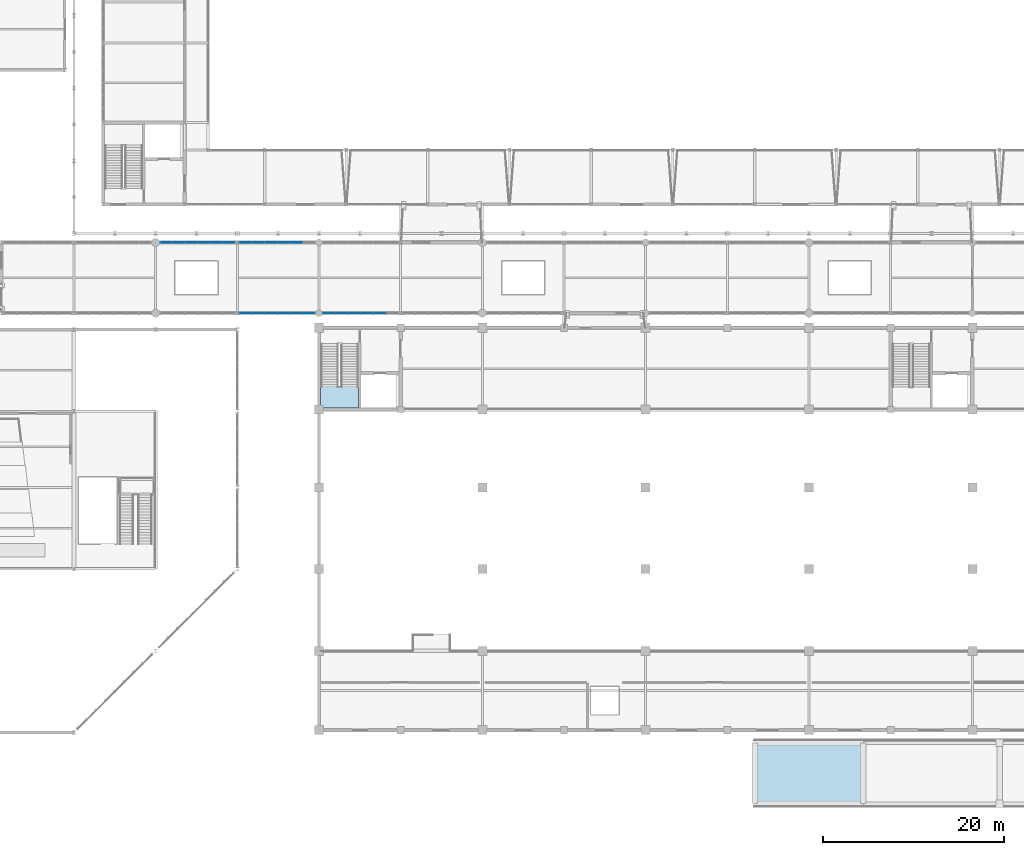
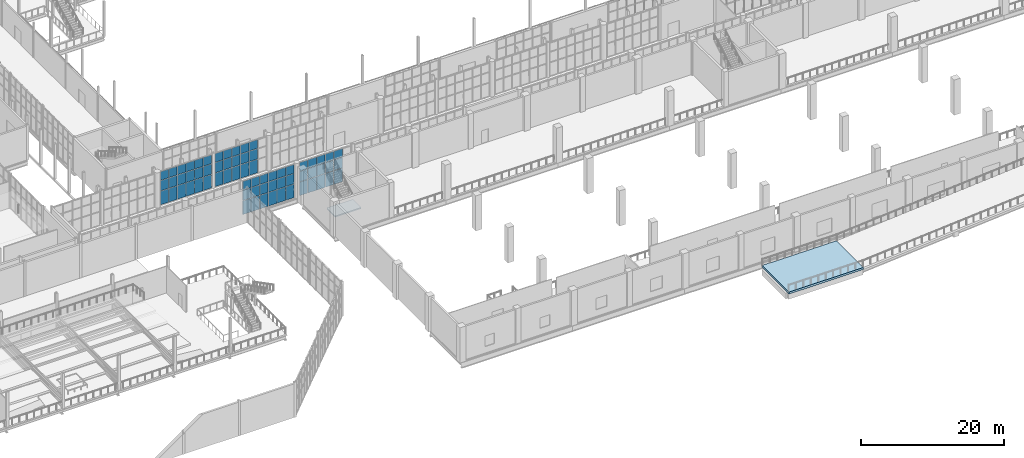
# One storey, part 97 of 159: 66 plates, 2 slabs, 5 elements without a shape of their own.
"""IFC4 building model written with IfcOpenShell, lengths in metres."""

import ifcopenshell
import ifcopenshell.guid

model = None  # the IFC model being written
_history = None  # IfcOwnerHistory: only IFC2X3 demands one
_inside = {}  # id of a spatial element -> (the spatial element, [elements in it])
_under = {}  # id of a project, library or spatial element -> (it, [spatial elements below it])
_declared = {}  # id of a project -> (the project, [libraries it declares])
_typed = {}  # id of a type object -> (the type object, [elements of that type])
_made_of = {}  # id of a material, layer set ... -> (it, [elements and type objects made of it])


def new_model(schema):
    """Start an empty IFC model of exactly this schema.

    Asked for "IFC4X3", IfcOpenShell would pick the latest addendum, in which some entities
    have other attributes; the version numbers below select the first issue.
    IFC2X3 requires an IfcOwnerHistory on every rooted entity: one is made here for all.
    """
    global model, _history
    if schema == "IFC4X3":
        model = ifcopenshell.file(schema_version=(4, 3, 0, 0))
    else:
        model = ifcopenshell.file(schema=schema)
    _inside.clear()
    _under.clear()
    _declared.clear()
    _typed.clear()
    _made_of.clear()
    _history = None
    if model.schema == "IFC2X3":
        org = make("IfcOrganization", Name="unknown")
        user = make(
            "IfcPersonAndOrganization",
            ThePerson=make("IfcPerson", FamilyName="unknown"),
            TheOrganization=org,
        )
        app = make(
            "IfcApplication",
            ApplicationDeveloper=org,
            Version="unknown",
            ApplicationFullName="unknown",
            ApplicationIdentifier="unknown",
        )
        _history = make(
            "IfcOwnerHistory",
            OwningUser=user,
            OwningApplication=app,
            ChangeAction="ADDED",
            CreationDate=0,
        )
    return model


def make(cls, **values):
    """One entity of the class cls with the attributes given. An attribute that is None is left unset."""
    return model.create_entity(
        cls, **{name: value for name, value in values.items() if value is not None}
    )


def rooted(cls, **values):
    """An entity with a GlobalId (a new one), such as an element, a storey or a relation."""
    return make(cls, GlobalId=ifcopenshell.guid.new(), OwnerHistory=_history, **values)


def si_unit(unit_type, name, prefix=None):
    """IfcSIUnit, for example si_unit("LENGTHUNIT", "METRE", prefix="MILLI")."""
    return make("IfcSIUnit", UnitType=unit_type, Prefix=prefix, Name=name)


def assignment(units):
    """IfcUnitAssignment: the units of a project."""
    return None if units is None else make("IfcUnitAssignment", Units=units)


def point(xyz):
    """IfcCartesianPoint."""
    return None if xyz is None else make("IfcCartesianPoint", Coordinates=xyz)


def direction(xyz):
    """IfcDirection."""
    return None if xyz is None else make("IfcDirection", DirectionRatios=xyz)


def frame(location, z_axis=None, x_axis=None):
    """IfcAxis2Placement3D, a coordinate frame: its origin and axes. An axis left out is left unset."""
    return make(
        "IfcAxis2Placement3D",
        Location=point(location),
        Axis=direction(z_axis),
        RefDirection=direction(x_axis),
    )


def frame_2d(location, x_axis=None):
    """IfcAxis2Placement2D, a coordinate frame in the plane: its origin and x axis."""
    return make(
        "IfcAxis2Placement2D", Location=point(location), RefDirection=direction(x_axis)
    )


def origin():
    """The frame at (0, 0, 0) with its axes left unset."""
    return frame((0.0, 0.0, 0.0))


def origin_2d():
    """The frame at (0, 0) in the plane with its x axis left unset."""
    return frame_2d((0.0, 0.0))


def place(relative_to, where):
    """IfcLocalPlacement: puts the frame where relative to a parent placement (None: the world)."""
    return make(
        "IfcLocalPlacement", PlacementRelTo=relative_to, RelativePlacement=where
    )


def context(
    kind, dimensions, precision=None, world=None, true_north=None, identifier=None
):
    """IfcGeometricRepresentationContext, for example the 3D "Model" context."""
    return make(
        "IfcGeometricRepresentationContext",
        ContextIdentifier=identifier,
        ContextType=kind,
        CoordinateSpaceDimension=dimensions,
        Precision=precision,
        WorldCoordinateSystem=world,
        TrueNorth=true_north,
    )


def subcontext(parent, identifier, kind, view, scale=None):
    """IfcGeometricRepresentationSubContext, for example "Body" below "Model"."""
    return make(
        "IfcGeometricRepresentationSubContext",
        ContextIdentifier=identifier,
        ContextType=kind,
        ParentContext=parent,
        TargetScale=scale,
        TargetView=view,
    )


def project(units=None, contexts=None):
    """IfcProject with its units and contexts."""
    return rooted(
        "IfcProject",
        Name="project",
        RepresentationContexts=contexts,
        UnitsInContext=assignment(units),
    )


def spatial(cls, under=None, at=None, **own):
    """A site, building, storey or space (cls), placed at a placement, below another one or the project."""
    s = rooted(cls, ObjectPlacement=at, **own)
    if under is not None:
        _under.setdefault(under.id(), (under, []))[1].append(s)
    return s


def polyline(points):
    """IfcPolyline through the points."""
    return make("IfcPolyline", Points=[point(p) for p in points])


def profile(cls, at=None, kind="AREA", **sizes):
    """A parametric profile (cls). Its sizes go by their IFC names, for example OverallWidth=200.0."""
    return make(cls, ProfileType=kind, Position=at, **sizes)


def rectangle(**sizes):
    """IfcRectangleProfileDef."""
    return profile("IfcRectangleProfileDef", **sizes)


def outline(outer, holes=None, kind="AREA"):
    """IfcArbitraryClosedProfileDef: a profile drawn as a closed curve; with holes, ...WithVoids."""
    if holes is None:
        return make("IfcArbitraryClosedProfileDef", ProfileType=kind, OuterCurve=outer)
    return make(
        "IfcArbitraryProfileDefWithVoids",
        ProfileType=kind,
        OuterCurve=outer,
        InnerCurves=holes,
    )


def extrude(swept, where, along, depth):
    """IfcExtrudedAreaSolid: the profile swept, set in the frame where, extruded along a direction by depth."""
    return make(
        "IfcExtrudedAreaSolid",
        SweptArea=swept,
        Position=where,
        ExtrudedDirection=direction(along),
        Depth=depth,
    )


def shape(context_of_items, identifier, shape_type, items):
    """IfcShapeRepresentation: the items that make up one representation, for example the "Body"."""
    return make(
        "IfcShapeRepresentation",
        ContextOfItems=context_of_items,
        RepresentationIdentifier=identifier,
        RepresentationType=shape_type,
        Items=items,
    )


def material(Name=None, Category=None):
    """IfcMaterial."""
    return make("IfcMaterial", Name=Name, Category=Category)


def layer(
    of_material, thickness, ventilated=None, Name=None, Category=None, Priority=None
):
    """IfcMaterialLayer: one layer of a wall or slab, of a material (None: an air gap)."""
    return make(
        "IfcMaterialLayer",
        Material=of_material,
        LayerThickness=thickness,
        IsVentilated=ventilated,
        Name=Name,
        Category=Category,
        Priority=Priority,
    )


def layer_set(layers, Name=None):
    """IfcMaterialLayerSet."""
    return make("IfcMaterialLayerSet", MaterialLayers=layers, LayerSetName=Name)


def made_of(thing, what):
    """Note that an element or type object is made of a material, layer set ...; save() writes the relation."""
    if what is not None:
        _made_of.setdefault(what.id(), (what, []))[1].append(thing)
    return thing


def type_object(cls, material=None, **own):
    """A type object (cls), such as IfcWallType, which elements share."""
    return made_of(rooted(cls, **own), material)


def element(
    cls,
    number,
    at=None,
    inside=None,
    cuts=None,
    type_object=None,
    material=None,
    context=None,
    identifier="Body",
    shape_type=None,
    held_by="IfcProductDefinitionShape",
    body=None,
    shapes=None,
    **own,
):
    """One element of the class cls, such as IfcWall. Its Tag is "e" and its number.

    at: its placement. inside: the storey or other place that contains it. cuts: it is an
    opening in that element (IfcRelVoidsElement). A single representation is given by context,
    identifier, shape_type and body (its items); several are given by shapes. held_by: the class
    of the entity that holds the representations. save() writes the other relations.
    """
    e = rooted(cls, Tag="e%d" % number, ObjectPlacement=at, **own)
    if body is not None:
        shapes = [shape(context, identifier, shape_type, body)]
    if shapes is not None:
        e.Representation = make(held_by, Representations=shapes)
    if inside is not None:
        _inside.setdefault(inside.id(), (inside, []))[1].append(e)
    if cuts is not None:
        rooted(
            "IfcRelVoidsElement", RelatingBuildingElement=cuts, RelatedOpeningElement=e
        )
    if type_object is not None:
        _typed.setdefault(type_object.id(), (type_object, []))[1].append(e)
    return made_of(e, material)


def aggregate(whole, parts):
    """IfcRelAggregates: a whole, such as a stair, and the parts it consists of."""
    return rooted("IfcRelAggregates", RelatingObject=whole, RelatedObjects=parts)


def save(model, path):
    """Write the relations noted so far, then the file.

    IfcRelAggregates (storeys below a building ...), IfcRelContainedInSpatialStructure (elements
    in a storey), IfcRelDefinesByType, IfcRelAssociatesMaterial and IfcRelDeclares: one each for
    every whole, place, type object, material and project.
    """
    for whole, parts in _under.values():
        aggregate(whole, parts)
    for where, things in _inside.values():
        rooted(
            "IfcRelContainedInSpatialStructure",
            RelatedElements=things,
            RelatingStructure=where,
        )
    for kind, things in _typed.values():
        rooted("IfcRelDefinesByType", RelatedObjects=things, RelatingType=kind)
    for what, things in _made_of.values():
        rooted("IfcRelAssociatesMaterial", RelatedObjects=things, RelatingMaterial=what)
    for by, libraries in _declared.values():
        rooted("IfcRelDeclares", RelatingContext=by, RelatedDefinitions=libraries)
    model.write(path)


model = new_model("IFC4")

# Units and contexts
model_context = context("Model", 3, precision=1e-05, world=origin(), true_north=direction((0.0, 1.0)))
body_context = subcontext(model_context, "Body", "Model", "MODEL_VIEW")
ifc_project = project(units=[si_unit("LENGTHUNIT", "METRE"), si_unit("AREAUNIT", "SQUARE_METRE"), si_unit("VOLUMEUNIT", "CUBIC_METRE"), si_unit("PLANEANGLEUNIT", "RADIAN"), si_unit("MASSUNIT", "GRAM", prefix="KILO")], contexts=[model_context])

# Site, building, storey
site_placement = place(None, origin())
site = spatial("IfcSite", under=ifc_project, at=site_placement, CompositionType="ELEMENT")
building_placement = place(site_placement, origin())
building = spatial("IfcBuilding", under=site, at=building_placement, Name="Cazmaro Siding Exhibition Halls", CompositionType="ELEMENT")
storey_placement = place(building_placement, frame((0.0, 0.0, 6.0)))
storey = spatial("IfcBuildingStorey", under=building, at=storey_placement, Name="L01", CompositionType="ELEMENT", Elevation=6.0)

# Curtain wall, plates
ifc_material_1 = material(Name="Anodized Bronze Aluminum and Solar-Control Low-E Glazing", Category="aluminium")
ifc_layer_1 = layer(ifc_material_1, 0.179931640625)
ifc_layer_set_1 = layer_set([ifc_layer_1], Name="Anodized Bronze Aluminum and Solar-Control Low-E Glazing")
curtain_wall_type = type_object("IfcCurtainWallType", Name="CWS-01", PredefinedType="USERDEFINED", material=ifc_layer_set_1)
curtain_wall_1_placement = place(storey_placement, origin())
curtain_wall_1 = element("IfcCurtainWall", 1, at=curtain_wall_1_placement, inside=storey, type_object=curtain_wall_type, Name="Glazed Curtain Wall CWS-01 CW-153", ObjectType="GLAZED CURTAIN WALL", PredefinedType="USERDEFINED")
ifc_material_2 = material(Name="Solar-Control Low-E Double Insulating Glass", Category="glass")
ifc_layer_2 = layer(ifc_material_2, 0.02392578125)
ifc_layer_set_2 = layer_set([ifc_layer_2], Name="Solar-Control Low-E Double Insulating Glass")
plate_type = type_object("IfcPlateType", Name="CWP-01", PredefinedType="CURTAIN_PANEL", material=ifc_layer_set_2)
plate_1_placement = place(storey_placement, frame((62.064453125, 63.0, 0.06005859375), z_axis=(0.0, 0.0, 1.0), x_axis=(-1.0, 0.0, 0.0)))
plate_1 = element("IfcPlate", 2, at=plate_1_placement, type_object=plate_type, Name="CWS-01 panel 1.1", PredefinedType="CURTAIN_PANEL", context=body_context, shape_type="SweptSolid", body=[
    extrude(rectangle(XDim=1.291259765625, YDim=0.02392578125, at=origin_2d()), origin(), (0.0, 0.0, 1.0), 2.31005859375),
])
plate_2_placement = place(storey_placement, frame((62.064453125, 63.0, 2.43017578125), z_axis=(0.0, 0.0, 1.0), x_axis=(-1.0, 0.0, 0.0)))
plate_2 = element("IfcPlate", 3, at=plate_2_placement, type_object=plate_type, Name="CWS-01 panel 1.2", PredefinedType="CURTAIN_PANEL", context=body_context, shape_type="SweptSolid", body=[
    extrude(rectangle(XDim=1.291259765625, YDim=0.02392578125, at=origin_2d()), origin(), (0.0, 0.0, 1.0), 1.739990234375),
])
plate_3_placement = place(storey_placement, frame((62.064453125, 63.0, 4.22998046875), z_axis=(0.0, 0.0, 1.0), x_axis=(-1.0, 0.0, 0.0)))
plate_3 = element("IfcPlate", 4, at=plate_3_placement, type_object=plate_type, Name="CWS-01 panel 1.3", PredefinedType="CURTAIN_PANEL", context=body_context, shape_type="SweptSolid", body=[
    extrude(rectangle(XDim=1.291259765625, YDim=0.02392578125, at=origin_2d()), origin(), (0.0, 0.0, 1.0), 1.489990234375),
])
plate_4_placement = place(storey_placement, frame((60.6982421875, 63.0, 0.06005859375), z_axis=(0.0, 0.0, 1.0), x_axis=(-1.0, 0.0, 0.0)))
plate_4 = element("IfcPlate", 5, at=plate_4_placement, type_object=plate_type, Name="CWS-01 panel 2.1", PredefinedType="CURTAIN_PANEL", context=body_context, shape_type="SweptSolid", body=[
    extrude(rectangle(XDim=1.321044921875, YDim=0.02392578125, at=origin_2d()), origin(), (0.0, 0.0, 1.0), 2.31005859375),
])
plate_5_placement = place(storey_placement, frame((60.6982421875, 63.0, 2.43017578125), z_axis=(0.0, 0.0, 1.0), x_axis=(-1.0, 0.0, 0.0)))
plate_5 = element("IfcPlate", 6, at=plate_5_placement, type_object=plate_type, Name="CWS-01 panel 2.2", PredefinedType="CURTAIN_PANEL", context=body_context, shape_type="SweptSolid", body=[
    extrude(rectangle(XDim=1.321044921875, YDim=0.02392578125, at=origin_2d()), origin(), (0.0, 0.0, 1.0), 1.739990234375),
])
plate_6_placement = place(storey_placement, frame((60.6982421875, 63.0, 4.22998046875), z_axis=(0.0, 0.0, 1.0), x_axis=(-1.0, 0.0, 0.0)))
plate_6 = element("IfcPlate", 7, at=plate_6_placement, type_object=plate_type, Name="CWS-01 panel 2.3", PredefinedType="CURTAIN_PANEL", context=body_context, shape_type="SweptSolid", body=[
    extrude(rectangle(XDim=1.321044921875, YDim=0.02392578125, at=origin_2d()), origin(), (0.0, 0.0, 1.0), 1.489990234375),
])
plate_7_placement = place(storey_placement, frame((59.317138671875, 63.0, 0.06005859375), z_axis=(0.0, 0.0, 1.0), x_axis=(-1.0, 0.0, 0.0)))
plate_7 = element("IfcPlate", 8, at=plate_7_placement, type_object=plate_type, Name="CWS-01 panel 3.1", PredefinedType="CURTAIN_PANEL", context=body_context, shape_type="SweptSolid", body=[
    extrude(rectangle(XDim=1.321044921875, YDim=0.02392578125, at=origin_2d()), origin(), (0.0, 0.0, 1.0), 2.31005859375),
])
plate_8_placement = place(storey_placement, frame((59.317138671875, 63.0, 2.43017578125), z_axis=(0.0, 0.0, 1.0), x_axis=(-1.0, 0.0, 0.0)))
plate_8 = element("IfcPlate", 9, at=plate_8_placement, type_object=plate_type, Name="CWS-01 panel 3.2", PredefinedType="CURTAIN_PANEL", context=body_context, shape_type="SweptSolid", body=[
    extrude(rectangle(XDim=1.321044921875, YDim=0.02392578125, at=origin_2d()), origin(), (0.0, 0.0, 1.0), 1.739990234375),
])
plate_9_placement = place(storey_placement, frame((59.317138671875, 63.0, 4.22998046875), z_axis=(0.0, 0.0, 1.0), x_axis=(-1.0, 0.0, 0.0)))
plate_9 = element("IfcPlate", 10, at=plate_9_placement, type_object=plate_type, Name="CWS-01 panel 3.3", PredefinedType="CURTAIN_PANEL", context=body_context, shape_type="SweptSolid", body=[
    extrude(rectangle(XDim=1.321044921875, YDim=0.02392578125, at=origin_2d()), origin(), (0.0, 0.0, 1.0), 1.489990234375),
])
plate_10_placement = place(storey_placement, frame((57.93603515625, 63.0, 0.06005859375), z_axis=(0.0, 0.0, 1.0), x_axis=(-1.0, 0.0, 0.0)))
plate_10 = element("IfcPlate", 11, at=plate_10_placement, type_object=plate_type, Name="CWS-01 panel 4.1", PredefinedType="CURTAIN_PANEL", context=body_context, shape_type="SweptSolid", body=[
    extrude(rectangle(XDim=1.321044921875, YDim=0.02392578125, at=origin_2d()), origin(), (0.0, 0.0, 1.0), 2.31005859375),
])
plate_11_placement = place(storey_placement, frame((57.93603515625, 63.0, 2.43017578125), z_axis=(0.0, 0.0, 1.0), x_axis=(-1.0, 0.0, 0.0)))
plate_11 = element("IfcPlate", 12, at=plate_11_placement, type_object=plate_type, Name="CWS-01 panel 4.2", PredefinedType="CURTAIN_PANEL", context=body_context, shape_type="SweptSolid", body=[
    extrude(rectangle(XDim=1.321044921875, YDim=0.02392578125, at=origin_2d()), origin(), (0.0, 0.0, 1.0), 1.739990234375),
])
plate_12_placement = place(storey_placement, frame((57.93603515625, 63.0, 4.22998046875), z_axis=(0.0, 0.0, 1.0), x_axis=(-1.0, 0.0, 0.0)))
plate_12 = element("IfcPlate", 13, at=plate_12_placement, type_object=plate_type, Name="CWS-01 panel 4.3", PredefinedType="CURTAIN_PANEL", context=body_context, shape_type="SweptSolid", body=[
    extrude(rectangle(XDim=1.321044921875, YDim=0.02392578125, at=origin_2d()), origin(), (0.0, 0.0, 1.0), 1.489990234375),
])
plate_13_placement = place(storey_placement, frame((56.5546875, 63.0, 0.06005859375), z_axis=(0.0, 0.0, 1.0), x_axis=(-1.0, 0.0, 0.0)))
plate_13 = element("IfcPlate", 14, at=plate_13_placement, type_object=plate_type, Name="CWS-01 panel 5.1", PredefinedType="CURTAIN_PANEL", context=body_context, shape_type="SweptSolid", body=[
    extrude(rectangle(XDim=1.321044921875, YDim=0.02392578125, at=origin_2d()), origin(), (0.0, 0.0, 1.0), 2.31005859375),
])
plate_14_placement = place(storey_placement, frame((56.5546875, 63.0, 2.43017578125), z_axis=(0.0, 0.0, 1.0), x_axis=(-1.0, 0.0, 0.0)))
plate_14 = element("IfcPlate", 15, at=plate_14_placement, type_object=plate_type, Name="CWS-01 panel 5.2", PredefinedType="CURTAIN_PANEL", context=body_context, shape_type="SweptSolid", body=[
    extrude(rectangle(XDim=1.321044921875, YDim=0.02392578125, at=origin_2d()), origin(), (0.0, 0.0, 1.0), 1.739990234375),
])
plate_15_placement = place(storey_placement, frame((56.5546875, 63.0, 4.22998046875), z_axis=(0.0, 0.0, 1.0), x_axis=(-1.0, 0.0, 0.0)))
plate_15 = element("IfcPlate", 16, at=plate_15_placement, type_object=plate_type, Name="CWS-01 panel 5.3", PredefinedType="CURTAIN_PANEL", context=body_context, shape_type="SweptSolid", body=[
    extrude(rectangle(XDim=1.321044921875, YDim=0.02392578125, at=origin_2d()), origin(), (0.0, 0.0, 1.0), 1.489990234375),
])
plate_16_placement = place(storey_placement, frame((55.1884765625, 63.0, 0.06005859375), z_axis=(0.0, 0.0, 1.0), x_axis=(-1.0, 0.0, 0.0)))
plate_16 = element("IfcPlate", 17, at=plate_16_placement, type_object=plate_type, Name="CWS-01 panel 6.1", PredefinedType="CURTAIN_PANEL", context=body_context, shape_type="SweptSolid", body=[
    extrude(rectangle(XDim=1.291259765625, YDim=0.02392578125, at=origin_2d()), origin(), (0.0, 0.0, 1.0), 2.31005859375),
])
plate_17_placement = place(storey_placement, frame((55.1884765625, 63.0, 2.43017578125), z_axis=(0.0, 0.0, 1.0), x_axis=(-1.0, 0.0, 0.0)))
plate_17 = element("IfcPlate", 18, at=plate_17_placement, type_object=plate_type, Name="CWS-01 panel 6.2", PredefinedType="CURTAIN_PANEL", context=body_context, shape_type="SweptSolid", body=[
    extrude(rectangle(XDim=1.291259765625, YDim=0.02392578125, at=origin_2d()), origin(), (0.0, 0.0, 1.0), 1.739990234375),
])
plate_18_placement = place(storey_placement, frame((55.1884765625, 63.0, 4.22998046875), z_axis=(0.0, 0.0, 1.0), x_axis=(-1.0, 0.0, 0.0)))
plate_18 = element("IfcPlate", 19, at=plate_18_placement, type_object=plate_type, Name="CWS-01 panel 6.3", PredefinedType="CURTAIN_PANEL", context=body_context, shape_type="SweptSolid", body=[
    extrude(rectangle(XDim=1.291259765625, YDim=0.02392578125, at=origin_2d()), origin(), (0.0, 0.0, 1.0), 1.489990234375),
])
aggregate(curtain_wall_1, [plate_1, plate_2, plate_3, plate_4, plate_5, plate_6, plate_7, plate_8, plate_9, plate_10, plate_11, plate_12, plate_13, plate_14, plate_15, plate_16, plate_17, plate_18])

curtain_wall_2_placement = place(storey_placement, origin())
curtain_wall_2 = element("IfcCurtainWall", 20, at=curtain_wall_2_placement, inside=storey, type_object=curtain_wall_type, Name="Glazed Curtain Wall CWS-01 CW-157", ObjectType="GLAZED CURTAIN WALL", PredefinedType="USERDEFINED")
plate_19_placement = place(storey_placement, frame((63.94189453125, 55.199951171875, 0.06005859375), z_axis=(0.0, 0.0, 1.0), x_axis=(1.0, 0.0, 0.0)))
plate_19 = element("IfcPlate", 21, at=plate_19_placement, type_object=plate_type, Name="CWS-01 panel 1.1", PredefinedType="CURTAIN_PANEL", context=body_context, shape_type="SweptSolid", body=[
    extrude(rectangle(XDim=1.3037109375, YDim=0.02392578125, at=origin_2d()), origin(), (0.0, 0.0, 1.0), 2.31005859375),
])
plate_20_placement = place(storey_placement, frame((63.94189453125, 55.199951171875, 2.43017578125), z_axis=(0.0, 0.0, 1.0), x_axis=(1.0, 0.0, 0.0)))
plate_20 = element("IfcPlate", 22, at=plate_20_placement, type_object=plate_type, Name="CWS-01 panel 1.2", PredefinedType="CURTAIN_PANEL", context=body_context, shape_type="SweptSolid", body=[
    extrude(rectangle(XDim=1.3037109375, YDim=0.02392578125, at=origin_2d()), origin(), (0.0, 0.0, 1.0), 1.739990234375),
])
plate_21_placement = place(storey_placement, frame((63.94189453125, 55.199951171875, 4.22998046875), z_axis=(0.0, 0.0, 1.0), x_axis=(1.0, 0.0, 0.0)))
plate_21 = element("IfcPlate", 23, at=plate_21_placement, type_object=plate_type, Name="CWS-01 panel 1.3", PredefinedType="CURTAIN_PANEL", context=body_context, shape_type="SweptSolid", body=[
    extrude(rectangle(XDim=1.3037109375, YDim=0.02392578125, at=origin_2d()), origin(), (0.0, 0.0, 1.0), 1.489990234375),
])
plate_22_placement = place(storey_placement, frame((65.320556640625, 55.199951171875, 0.06005859375), z_axis=(0.0, 0.0, 1.0), x_axis=(1.0, 0.0, 0.0)))
plate_22 = element("IfcPlate", 24, at=plate_22_placement, type_object=plate_type, Name="CWS-01 panel 2.1", PredefinedType="CURTAIN_PANEL", context=body_context, shape_type="SweptSolid", body=[
    extrude(rectangle(XDim=1.333740234375, YDim=0.02392578125, at=origin_2d()), origin(), (0.0, 0.0, 1.0), 2.31005859375),
])
plate_23_placement = place(storey_placement, frame((65.320556640625, 55.199951171875, 2.43017578125), z_axis=(0.0, 0.0, 1.0), x_axis=(1.0, 0.0, 0.0)))
plate_23 = element("IfcPlate", 25, at=plate_23_placement, type_object=plate_type, Name="CWS-01 panel 2.2", PredefinedType="CURTAIN_PANEL", context=body_context, shape_type="SweptSolid", body=[
    extrude(rectangle(XDim=1.333740234375, YDim=0.02392578125, at=origin_2d()), origin(), (0.0, 0.0, 1.0), 1.739990234375),
])
plate_24_placement = place(storey_placement, frame((65.320556640625, 55.199951171875, 4.22998046875), z_axis=(0.0, 0.0, 1.0), x_axis=(1.0, 0.0, 0.0)))
plate_24 = element("IfcPlate", 26, at=plate_24_placement, type_object=plate_type, Name="CWS-01 panel 2.3", PredefinedType="CURTAIN_PANEL", context=body_context, shape_type="SweptSolid", body=[
    extrude(rectangle(XDim=1.333740234375, YDim=0.02392578125, at=origin_2d()), origin(), (0.0, 0.0, 1.0), 1.489990234375),
])
plate_25_placement = place(storey_placement, frame((66.714111328125, 55.199951171875, 0.06005859375), z_axis=(0.0, 0.0, 1.0), x_axis=(1.0, 0.0, 0.0)))
plate_25 = element("IfcPlate", 27, at=plate_25_placement, type_object=plate_type, Name="CWS-01 panel 3.1", PredefinedType="CURTAIN_PANEL", context=body_context, shape_type="SweptSolid", body=[
    extrude(rectangle(XDim=1.333740234375, YDim=0.02392578125, at=origin_2d()), origin(), (0.0, 0.0, 1.0), 2.31005859375),
])
plate_26_placement = place(storey_placement, frame((66.714111328125, 55.199951171875, 2.43017578125), z_axis=(0.0, 0.0, 1.0), x_axis=(1.0, 0.0, 0.0)))
plate_26 = element("IfcPlate", 28, at=plate_26_placement, type_object=plate_type, Name="CWS-01 panel 3.2", PredefinedType="CURTAIN_PANEL", context=body_context, shape_type="SweptSolid", body=[
    extrude(rectangle(XDim=1.333740234375, YDim=0.02392578125, at=origin_2d()), origin(), (0.0, 0.0, 1.0), 1.739990234375),
])
plate_27_placement = place(storey_placement, frame((66.714111328125, 55.199951171875, 4.22998046875), z_axis=(0.0, 0.0, 1.0), x_axis=(1.0, 0.0, 0.0)))
plate_27 = element("IfcPlate", 29, at=plate_27_placement, type_object=plate_type, Name="CWS-01 panel 3.3", PredefinedType="CURTAIN_PANEL", context=body_context, shape_type="SweptSolid", body=[
    extrude(rectangle(XDim=1.333740234375, YDim=0.02392578125, at=origin_2d()), origin(), (0.0, 0.0, 1.0), 1.489990234375),
])
plate_28_placement = place(storey_placement, frame((68.10791015625, 55.199951171875, 0.06005859375), z_axis=(0.0, 0.0, 1.0), x_axis=(1.0, 0.0, 0.0)))
plate_28 = element("IfcPlate", 30, at=plate_28_placement, type_object=plate_type, Name="CWS-01 panel 4.1", PredefinedType="CURTAIN_PANEL", context=body_context, shape_type="SweptSolid", body=[
    extrude(rectangle(XDim=1.333740234375, YDim=0.02392578125, at=origin_2d()), origin(), (0.0, 0.0, 1.0), 2.31005859375),
])
plate_29_placement = place(storey_placement, frame((68.10791015625, 55.199951171875, 2.43017578125), z_axis=(0.0, 0.0, 1.0), x_axis=(1.0, 0.0, 0.0)))
plate_29 = element("IfcPlate", 31, at=plate_29_placement, type_object=plate_type, Name="CWS-01 panel 4.2", PredefinedType="CURTAIN_PANEL", context=body_context, shape_type="SweptSolid", body=[
    extrude(rectangle(XDim=1.333740234375, YDim=0.02392578125, at=origin_2d()), origin(), (0.0, 0.0, 1.0), 1.739990234375),
])
plate_30_placement = place(storey_placement, frame((68.10791015625, 55.199951171875, 4.22998046875), z_axis=(0.0, 0.0, 1.0), x_axis=(1.0, 0.0, 0.0)))
plate_30 = element("IfcPlate", 32, at=plate_30_placement, type_object=plate_type, Name="CWS-01 panel 4.3", PredefinedType="CURTAIN_PANEL", context=body_context, shape_type="SweptSolid", body=[
    extrude(rectangle(XDim=1.333740234375, YDim=0.02392578125, at=origin_2d()), origin(), (0.0, 0.0, 1.0), 1.489990234375),
])
plate_31_placement = place(storey_placement, frame((69.50146484375, 55.199951171875, 0.06005859375), z_axis=(0.0, 0.0, 1.0), x_axis=(1.0, 0.0, 0.0)))
plate_31 = element("IfcPlate", 33, at=plate_31_placement, type_object=plate_type, Name="CWS-01 panel 5.1", PredefinedType="CURTAIN_PANEL", context=body_context, shape_type="SweptSolid", body=[
    extrude(rectangle(XDim=1.333740234375, YDim=0.02392578125, at=origin_2d()), origin(), (0.0, 0.0, 1.0), 2.31005859375),
])
plate_32_placement = place(storey_placement, frame((69.50146484375, 55.199951171875, 2.43017578125), z_axis=(0.0, 0.0, 1.0), x_axis=(1.0, 0.0, 0.0)))
plate_32 = element("IfcPlate", 34, at=plate_32_placement, type_object=plate_type, Name="CWS-01 panel 5.2", PredefinedType="CURTAIN_PANEL", context=body_context, shape_type="SweptSolid", body=[
    extrude(rectangle(XDim=1.333740234375, YDim=0.02392578125, at=origin_2d()), origin(), (0.0, 0.0, 1.0), 1.739990234375),
])
plate_33_placement = place(storey_placement, frame((69.50146484375, 55.199951171875, 4.22998046875), z_axis=(0.0, 0.0, 1.0), x_axis=(1.0, 0.0, 0.0)))
plate_33 = element("IfcPlate", 35, at=plate_33_placement, type_object=plate_type, Name="CWS-01 panel 5.3", PredefinedType="CURTAIN_PANEL", context=body_context, shape_type="SweptSolid", body=[
    extrude(rectangle(XDim=1.333740234375, YDim=0.02392578125, at=origin_2d()), origin(), (0.0, 0.0, 1.0), 1.489990234375),
])
plate_34_placement = place(storey_placement, frame((70.880126953125, 55.199951171875, 0.06005859375), z_axis=(0.0, 0.0, 1.0), x_axis=(1.0, 0.0, 0.0)))
plate_34 = element("IfcPlate", 36, at=plate_34_placement, type_object=plate_type, Name="CWS-01 panel 6.1", PredefinedType="CURTAIN_PANEL", context=body_context, shape_type="SweptSolid", body=[
    extrude(rectangle(XDim=1.3037109375, YDim=0.02392578125, at=origin_2d()), origin(), (0.0, 0.0, 1.0), 2.31005859375),
])
plate_35_placement = place(storey_placement, frame((70.880126953125, 55.199951171875, 2.43017578125), z_axis=(0.0, 0.0, 1.0), x_axis=(1.0, 0.0, 0.0)))
plate_35 = element("IfcPlate", 37, at=plate_35_placement, type_object=plate_type, Name="CWS-01 panel 6.2", PredefinedType="CURTAIN_PANEL", context=body_context, shape_type="SweptSolid", body=[
    extrude(rectangle(XDim=1.3037109375, YDim=0.02392578125, at=origin_2d()), origin(), (0.0, 0.0, 1.0), 1.739990234375),
])
plate_36_placement = place(storey_placement, frame((70.880126953125, 55.199951171875, 4.22998046875), z_axis=(0.0, 0.0, 1.0), x_axis=(1.0, 0.0, 0.0)))
plate_36 = element("IfcPlate", 38, at=plate_36_placement, type_object=plate_type, Name="CWS-01 panel 6.3", PredefinedType="CURTAIN_PANEL", context=body_context, shape_type="SweptSolid", body=[
    extrude(rectangle(XDim=1.3037109375, YDim=0.02392578125, at=origin_2d()), origin(), (0.0, 0.0, 1.0), 1.489990234375),
])
aggregate(curtain_wall_2, [plate_19, plate_20, plate_21, plate_22, plate_23, plate_24, plate_25, plate_26, plate_27, plate_28, plate_29, plate_30, plate_31, plate_32, plate_33, plate_34, plate_35, plate_36])

curtain_wall_3_placement = place(storey_placement, origin())
curtain_wall_3 = element("IfcCurtainWall", 39, at=curtain_wall_3_placement, inside=storey, type_object=curtain_wall_type, Name="Glazed Curtain Wall CWS-01 CW-159", ObjectType="GLAZED CURTAIN WALL", PredefinedType="USERDEFINED")
plate_37_placement = place(storey_placement, frame((69.50146484375, 63.0, 0.06005859375), z_axis=(0.0, 0.0, 1.0), x_axis=(-1.0, 0.0, 0.0)))
plate_37 = element("IfcPlate", 40, at=plate_37_placement, type_object=plate_type, Name="CWS-01 panel 2.1", PredefinedType="CURTAIN_PANEL", context=body_context, shape_type="SweptSolid", body=[
    extrude(rectangle(XDim=1.333740234375, YDim=0.02392578125, at=origin_2d()), origin(), (0.0, 0.0, 1.0), 2.31005859375),
])
plate_38_placement = place(storey_placement, frame((69.50146484375, 63.0, 2.43017578125), z_axis=(0.0, 0.0, 1.0), x_axis=(-1.0, 0.0, 0.0)))
plate_38 = element("IfcPlate", 41, at=plate_38_placement, type_object=plate_type, Name="CWS-01 panel 2.2", PredefinedType="CURTAIN_PANEL", context=body_context, shape_type="SweptSolid", body=[
    extrude(rectangle(XDim=1.333740234375, YDim=0.02392578125, at=origin_2d()), origin(), (0.0, 0.0, 1.0), 1.739990234375),
])
plate_39_placement = place(storey_placement, frame((69.50146484375, 63.0, 4.22998046875), z_axis=(0.0, 0.0, 1.0), x_axis=(-1.0, 0.0, 0.0)))
plate_39 = element("IfcPlate", 42, at=plate_39_placement, type_object=plate_type, Name="CWS-01 panel 2.3", PredefinedType="CURTAIN_PANEL", context=body_context, shape_type="SweptSolid", body=[
    extrude(rectangle(XDim=1.333740234375, YDim=0.02392578125, at=origin_2d()), origin(), (0.0, 0.0, 1.0), 1.489990234375),
])
plate_40_placement = place(storey_placement, frame((68.10791015625, 63.0, 0.06005859375), z_axis=(0.0, 0.0, 1.0), x_axis=(-1.0, 0.0, 0.0)))
plate_40 = element("IfcPlate", 43, at=plate_40_placement, type_object=plate_type, Name="CWS-01 panel 3.1", PredefinedType="CURTAIN_PANEL", context=body_context, shape_type="SweptSolid", body=[
    extrude(rectangle(XDim=1.333740234375, YDim=0.02392578125, at=origin_2d()), origin(), (0.0, 0.0, 1.0), 2.31005859375),
])
plate_41_placement = place(storey_placement, frame((68.10791015625, 63.0, 2.43017578125), z_axis=(0.0, 0.0, 1.0), x_axis=(-1.0, 0.0, 0.0)))
plate_41 = element("IfcPlate", 44, at=plate_41_placement, type_object=plate_type, Name="CWS-01 panel 3.2", PredefinedType="CURTAIN_PANEL", context=body_context, shape_type="SweptSolid", body=[
    extrude(rectangle(XDim=1.333740234375, YDim=0.02392578125, at=origin_2d()), origin(), (0.0, 0.0, 1.0), 1.739990234375),
])
plate_42_placement = place(storey_placement, frame((68.10791015625, 63.0, 4.22998046875), z_axis=(0.0, 0.0, 1.0), x_axis=(-1.0, 0.0, 0.0)))
plate_42 = element("IfcPlate", 45, at=plate_42_placement, type_object=plate_type, Name="CWS-01 panel 3.3", PredefinedType="CURTAIN_PANEL", context=body_context, shape_type="SweptSolid", body=[
    extrude(rectangle(XDim=1.333740234375, YDim=0.02392578125, at=origin_2d()), origin(), (0.0, 0.0, 1.0), 1.489990234375),
])
plate_43_placement = place(storey_placement, frame((66.714111328125, 63.0, 0.06005859375), z_axis=(0.0, 0.0, 1.0), x_axis=(-1.0, 0.0, 0.0)))
plate_43 = element("IfcPlate", 46, at=plate_43_placement, type_object=plate_type, Name="CWS-01 panel 4.1", PredefinedType="CURTAIN_PANEL", context=body_context, shape_type="SweptSolid", body=[
    extrude(rectangle(XDim=1.333740234375, YDim=0.02392578125, at=origin_2d()), origin(), (0.0, 0.0, 1.0), 2.31005859375),
])
plate_44_placement = place(storey_placement, frame((66.714111328125, 63.0, 2.43017578125), z_axis=(0.0, 0.0, 1.0), x_axis=(-1.0, 0.0, 0.0)))
plate_44 = element("IfcPlate", 47, at=plate_44_placement, type_object=plate_type, Name="CWS-01 panel 4.2", PredefinedType="CURTAIN_PANEL", context=body_context, shape_type="SweptSolid", body=[
    extrude(rectangle(XDim=1.333740234375, YDim=0.02392578125, at=origin_2d()), origin(), (0.0, 0.0, 1.0), 1.739990234375),
])
plate_45_placement = place(storey_placement, frame((66.714111328125, 63.0, 4.22998046875), z_axis=(0.0, 0.0, 1.0), x_axis=(-1.0, 0.0, 0.0)))
plate_45 = element("IfcPlate", 48, at=plate_45_placement, type_object=plate_type, Name="CWS-01 panel 4.3", PredefinedType="CURTAIN_PANEL", context=body_context, shape_type="SweptSolid", body=[
    extrude(rectangle(XDim=1.333740234375, YDim=0.02392578125, at=origin_2d()), origin(), (0.0, 0.0, 1.0), 1.489990234375),
])
plate_46_placement = place(storey_placement, frame((65.320556640625, 63.0, 0.06005859375), z_axis=(0.0, 0.0, 1.0), x_axis=(-1.0, 0.0, 0.0)))
plate_46 = element("IfcPlate", 49, at=plate_46_placement, type_object=plate_type, Name="CWS-01 panel 5.1", PredefinedType="CURTAIN_PANEL", context=body_context, shape_type="SweptSolid", body=[
    extrude(rectangle(XDim=1.333740234375, YDim=0.02392578125, at=origin_2d()), origin(), (0.0, 0.0, 1.0), 2.31005859375),
])
plate_47_placement = place(storey_placement, frame((65.320556640625, 63.0, 2.43017578125), z_axis=(0.0, 0.0, 1.0), x_axis=(-1.0, 0.0, 0.0)))
plate_47 = element("IfcPlate", 50, at=plate_47_placement, type_object=plate_type, Name="CWS-01 panel 5.2", PredefinedType="CURTAIN_PANEL", context=body_context, shape_type="SweptSolid", body=[
    extrude(rectangle(XDim=1.333740234375, YDim=0.02392578125, at=origin_2d()), origin(), (0.0, 0.0, 1.0), 1.739990234375),
])
plate_48_placement = place(storey_placement, frame((65.320556640625, 63.0, 4.22998046875), z_axis=(0.0, 0.0, 1.0), x_axis=(-1.0, 0.0, 0.0)))
plate_48 = element("IfcPlate", 51, at=plate_48_placement, type_object=plate_type, Name="CWS-01 panel 5.3", PredefinedType="CURTAIN_PANEL", context=body_context, shape_type="SweptSolid", body=[
    extrude(rectangle(XDim=1.333740234375, YDim=0.02392578125, at=origin_2d()), origin(), (0.0, 0.0, 1.0), 1.489990234375),
])
plate_49_placement = place(storey_placement, frame((63.94189453125, 63.0, 0.06005859375), z_axis=(0.0, 0.0, 1.0), x_axis=(-1.0, 0.0, 0.0)))
plate_49 = element("IfcPlate", 52, at=plate_49_placement, type_object=plate_type, Name="CWS-01 panel 6.1", PredefinedType="CURTAIN_PANEL", context=body_context, shape_type="SweptSolid", body=[
    extrude(rectangle(XDim=1.3037109375, YDim=0.02392578125, at=origin_2d()), origin(), (0.0, 0.0, 1.0), 2.31005859375),
])
plate_50_placement = place(storey_placement, frame((63.94189453125, 63.0, 2.43017578125), z_axis=(0.0, 0.0, 1.0), x_axis=(-1.0, 0.0, 0.0)))
plate_50 = element("IfcPlate", 53, at=plate_50_placement, type_object=plate_type, Name="CWS-01 panel 6.2", PredefinedType="CURTAIN_PANEL", context=body_context, shape_type="SweptSolid", body=[
    extrude(rectangle(XDim=1.3037109375, YDim=0.02392578125, at=origin_2d()), origin(), (0.0, 0.0, 1.0), 1.739990234375),
])
plate_51_placement = place(storey_placement, frame((63.94189453125, 63.0, 4.22998046875), z_axis=(0.0, 0.0, 1.0), x_axis=(-1.0, 0.0, 0.0)))
plate_51 = element("IfcPlate", 54, at=plate_51_placement, type_object=plate_type, Name="CWS-01 panel 6.3", PredefinedType="CURTAIN_PANEL", context=body_context, shape_type="SweptSolid", body=[
    extrude(rectangle(XDim=1.3037109375, YDim=0.02392578125, at=origin_2d()), origin(), (0.0, 0.0, 1.0), 1.489990234375),
])
aggregate(curtain_wall_3, [plate_37, plate_38, plate_39, plate_40, plate_41, plate_42, plate_43, plate_44, plate_45, plate_46, plate_47, plate_48, plate_49, plate_50, plate_51])

curtain_wall_4_placement = place(storey_placement, origin())
curtain_wall_4 = element("IfcCurtainWall", 55, at=curtain_wall_4_placement, inside=storey, type_object=curtain_wall_type, Name="Glazed Curtain Wall CWS-01 CW-163", ObjectType="GLAZED CURTAIN WALL", PredefinedType="USERDEFINED")
plate_52_placement = place(storey_placement, frame((73.119873046875, 55.199951171875, 0.06005859375), z_axis=(0.0, 0.0, 1.0), x_axis=(1.0, 0.0, 0.0)))
plate_52 = element("IfcPlate", 56, at=plate_52_placement, type_object=plate_type, Name="CWS-01 panel 1.1", PredefinedType="CURTAIN_PANEL", context=body_context, shape_type="SweptSolid", body=[
    extrude(rectangle(XDim=1.3037109375, YDim=0.02392578125, at=origin_2d()), origin(), (0.0, 0.0, 1.0), 2.31005859375),
])
plate_53_placement = place(storey_placement, frame((73.119873046875, 55.199951171875, 2.43017578125), z_axis=(0.0, 0.0, 1.0), x_axis=(1.0, 0.0, 0.0)))
plate_53 = element("IfcPlate", 57, at=plate_53_placement, type_object=plate_type, Name="CWS-01 panel 1.2", PredefinedType="CURTAIN_PANEL", context=body_context, shape_type="SweptSolid", body=[
    extrude(rectangle(XDim=1.3037109375, YDim=0.02392578125, at=origin_2d()), origin(), (0.0, 0.0, 1.0), 1.739990234375),
])
plate_54_placement = place(storey_placement, frame((73.119873046875, 55.199951171875, 4.22998046875), z_axis=(0.0, 0.0, 1.0), x_axis=(1.0, 0.0, 0.0)))
plate_54 = element("IfcPlate", 58, at=plate_54_placement, type_object=plate_type, Name="CWS-01 panel 1.3", PredefinedType="CURTAIN_PANEL", context=body_context, shape_type="SweptSolid", body=[
    extrude(rectangle(XDim=1.3037109375, YDim=0.02392578125, at=origin_2d()), origin(), (0.0, 0.0, 1.0), 1.489990234375),
])
plate_55_placement = place(storey_placement, frame((74.49853515625, 55.199951171875, 0.06005859375), z_axis=(0.0, 0.0, 1.0), x_axis=(1.0, 0.0, 0.0)))
plate_55 = element("IfcPlate", 59, at=plate_55_placement, type_object=plate_type, Name="CWS-01 panel 2.1", PredefinedType="CURTAIN_PANEL", context=body_context, shape_type="SweptSolid", body=[
    extrude(rectangle(XDim=1.333740234375, YDim=0.02392578125, at=origin_2d()), origin(), (0.0, 0.0, 1.0), 2.31005859375),
])
plate_56_placement = place(storey_placement, frame((74.49853515625, 55.199951171875, 2.43017578125), z_axis=(0.0, 0.0, 1.0), x_axis=(1.0, 0.0, 0.0)))
plate_56 = element("IfcPlate", 60, at=plate_56_placement, type_object=plate_type, Name="CWS-01 panel 2.2", PredefinedType="CURTAIN_PANEL", context=body_context, shape_type="SweptSolid", body=[
    extrude(rectangle(XDim=1.333740234375, YDim=0.02392578125, at=origin_2d()), origin(), (0.0, 0.0, 1.0), 1.739990234375),
])
plate_57_placement = place(storey_placement, frame((74.49853515625, 55.199951171875, 4.22998046875), z_axis=(0.0, 0.0, 1.0), x_axis=(1.0, 0.0, 0.0)))
plate_57 = element("IfcPlate", 61, at=plate_57_placement, type_object=plate_type, Name="CWS-01 panel 2.3", PredefinedType="CURTAIN_PANEL", context=body_context, shape_type="SweptSolid", body=[
    extrude(rectangle(XDim=1.333740234375, YDim=0.02392578125, at=origin_2d()), origin(), (0.0, 0.0, 1.0), 1.489990234375),
])
plate_58_placement = place(storey_placement, frame((75.89208984375, 55.199951171875, 0.06005859375), z_axis=(0.0, 0.0, 1.0), x_axis=(1.0, 0.0, 0.0)))
plate_58 = element("IfcPlate", 62, at=plate_58_placement, type_object=plate_type, Name="CWS-01 panel 3.1", PredefinedType="CURTAIN_PANEL", context=body_context, shape_type="SweptSolid", body=[
    extrude(rectangle(XDim=1.333740234375, YDim=0.02392578125, at=origin_2d()), origin(), (0.0, 0.0, 1.0), 2.31005859375),
])
plate_59_placement = place(storey_placement, frame((75.89208984375, 55.199951171875, 2.43017578125), z_axis=(0.0, 0.0, 1.0), x_axis=(1.0, 0.0, 0.0)))
plate_59 = element("IfcPlate", 63, at=plate_59_placement, type_object=plate_type, Name="CWS-01 panel 3.2", PredefinedType="CURTAIN_PANEL", context=body_context, shape_type="SweptSolid", body=[
    extrude(rectangle(XDim=1.333740234375, YDim=0.02392578125, at=origin_2d()), origin(), (0.0, 0.0, 1.0), 1.739990234375),
])
plate_60_placement = place(storey_placement, frame((75.89208984375, 55.199951171875, 4.22998046875), z_axis=(0.0, 0.0, 1.0), x_axis=(1.0, 0.0, 0.0)))
plate_60 = element("IfcPlate", 64, at=plate_60_placement, type_object=plate_type, Name="CWS-01 panel 3.3", PredefinedType="CURTAIN_PANEL", context=body_context, shape_type="SweptSolid", body=[
    extrude(rectangle(XDim=1.333740234375, YDim=0.02392578125, at=origin_2d()), origin(), (0.0, 0.0, 1.0), 1.489990234375),
])
plate_61_placement = place(storey_placement, frame((77.285888671875, 55.199951171875, 0.06005859375), z_axis=(0.0, 0.0, 1.0), x_axis=(1.0, 0.0, 0.0)))
plate_61 = element("IfcPlate", 65, at=plate_61_placement, type_object=plate_type, Name="CWS-01 panel 4.1", PredefinedType="CURTAIN_PANEL", context=body_context, shape_type="SweptSolid", body=[
    extrude(rectangle(XDim=1.333740234375, YDim=0.02392578125, at=origin_2d()), origin(), (0.0, 0.0, 1.0), 2.31005859375),
])
plate_62_placement = place(storey_placement, frame((77.285888671875, 55.199951171875, 2.43017578125), z_axis=(0.0, 0.0, 1.0), x_axis=(1.0, 0.0, 0.0)))
plate_62 = element("IfcPlate", 66, at=plate_62_placement, type_object=plate_type, Name="CWS-01 panel 4.2", PredefinedType="CURTAIN_PANEL", context=body_context, shape_type="SweptSolid", body=[
    extrude(rectangle(XDim=1.333740234375, YDim=0.02392578125, at=origin_2d()), origin(), (0.0, 0.0, 1.0), 1.739990234375),
])
plate_63_placement = place(storey_placement, frame((77.285888671875, 55.199951171875, 4.22998046875), z_axis=(0.0, 0.0, 1.0), x_axis=(1.0, 0.0, 0.0)))
plate_63 = element("IfcPlate", 67, at=plate_63_placement, type_object=plate_type, Name="CWS-01 panel 4.3", PredefinedType="CURTAIN_PANEL", context=body_context, shape_type="SweptSolid", body=[
    extrude(rectangle(XDim=1.333740234375, YDim=0.02392578125, at=origin_2d()), origin(), (0.0, 0.0, 1.0), 1.489990234375),
])
plate_64_placement = place(storey_placement, frame((78.679443359375, 55.199951171875, 0.06005859375), z_axis=(0.0, 0.0, 1.0), x_axis=(1.0, 0.0, 0.0)))
plate_64 = element("IfcPlate", 68, at=plate_64_placement, type_object=plate_type, Name="CWS-01 panel 5.1", PredefinedType="CURTAIN_PANEL", context=body_context, shape_type="SweptSolid", body=[
    extrude(rectangle(XDim=1.333740234375, YDim=0.02392578125, at=origin_2d()), origin(), (0.0, 0.0, 1.0), 2.31005859375),
])
plate_65_placement = place(storey_placement, frame((78.679443359375, 55.199951171875, 2.43017578125), z_axis=(0.0, 0.0, 1.0), x_axis=(1.0, 0.0, 0.0)))
plate_65 = element("IfcPlate", 69, at=plate_65_placement, type_object=plate_type, Name="CWS-01 panel 5.2", PredefinedType="CURTAIN_PANEL", context=body_context, shape_type="SweptSolid", body=[
    extrude(rectangle(XDim=1.333740234375, YDim=0.02392578125, at=origin_2d()), origin(), (0.0, 0.0, 1.0), 1.739990234375),
])
plate_66_placement = place(storey_placement, frame((78.679443359375, 55.199951171875, 4.22998046875), z_axis=(0.0, 0.0, 1.0), x_axis=(1.0, 0.0, 0.0)))
plate_66 = element("IfcPlate", 70, at=plate_66_placement, type_object=plate_type, Name="CWS-01 panel 5.3", PredefinedType="CURTAIN_PANEL", context=body_context, shape_type="SweptSolid", body=[
    extrude(rectangle(XDim=1.333740234375, YDim=0.02392578125, at=origin_2d()), origin(), (0.0, 0.0, 1.0), 1.489990234375),
])
aggregate(curtain_wall_4, [plate_52, plate_53, plate_54, plate_55, plate_56, plate_57, plate_58, plate_59, plate_60, plate_61, plate_62, plate_63, plate_64, plate_65, plate_66])

# Stair, slab
ifc_material_3 = material(Name="Concrete f'c 40 MPa", Category="concrete")
stair_type = type_object("IfcStairType", Name="STT-06", PredefinedType="TWO_STRAIGHT_RUN_STAIR", material=ifc_material_3)
stair_placement = place(storey_placement, origin())
stair = element("IfcStair", 71, at=stair_placement, inside=storey, type_object=stair_type, Name="Core C3 Exit Stair L01-L02 ST-06", PredefinedType="TWO_STRAIGHT_RUN_STAIR")
ifc_material_4 = material(Name="Concrete f'c 40 MPa", Category="concrete")
ifc_layer_3 = layer(ifc_material_4, 0.199951171875)
ifc_layer_set_3 = layer_set([ifc_layer_3], Name="Concrete f'c 40 MPa")
slab_type_1 = type_object("IfcSlabType", Name="LND-06", PredefinedType="LANDING", material=ifc_layer_set_3)
slab_1_placement = place(storey_placement, frame((0.0, 0.0, 2.800048828125)))
slab_1 = element("IfcSlab", 72, at=slab_1_placement, type_object=slab_type_1, Name="ST-06 landing 1", PredefinedType="LANDING", context=body_context, shape_type="SweptSolid", body=[
    extrude(outline(polyline([(72.175048828125, 44.77490234375), (76.3798828125, 44.77490234375), (76.3798828125, 47.10009765625), (72.175048828125, 47.10009765625), (72.175048828125, 44.77490234375)])), origin(), (0.0, 0.0, 1.0), 0.199951171875),
])
aggregate(stair, [slab_1])

# Slab
ifc_material_5 = material(Name="Concrete f'c 45 MPa", Category="concrete")
ifc_layer_4 = layer(ifc_material_5, 0.35009765625)
ifc_layer_set_4 = layer_set([ifc_layer_4], Name="Concrete f'c 45 MPa")
slab_type_2 = type_object("IfcSlabType", Name="VR-01", PredefinedType="USERDEFINED", material=ifc_layer_set_4)
slab_2_placement = place(storey_placement, frame((0.0, 0.0, -0.35009765625)))
element("IfcSlab", 73, at=slab_2_placement, inside=storey, type_object=slab_type_2, Name="Heavy Truck Vehicle Ramp TR-01 Mid-Landing Structural Slab VR-01 SLB-0103", ObjectType="VEHICLE RAMP", PredefinedType="USERDEFINED", context=body_context, shape_type="SweptSolid", body=[
    extrude(outline(polyline([(120.0, 0.75), (132.0, 0.75), (132.0, 8.25), (120.0, 8.25), (120.0, 0.75)])), origin(), (0.0, 0.0, 1.0), 0.35009765625),
])

save(model, "model.ifc")
